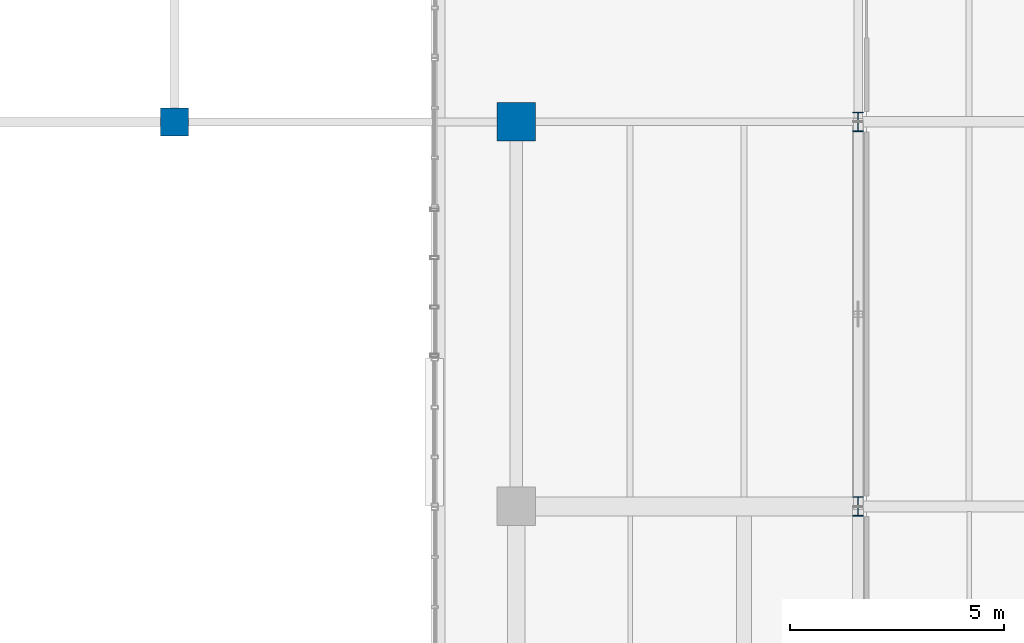
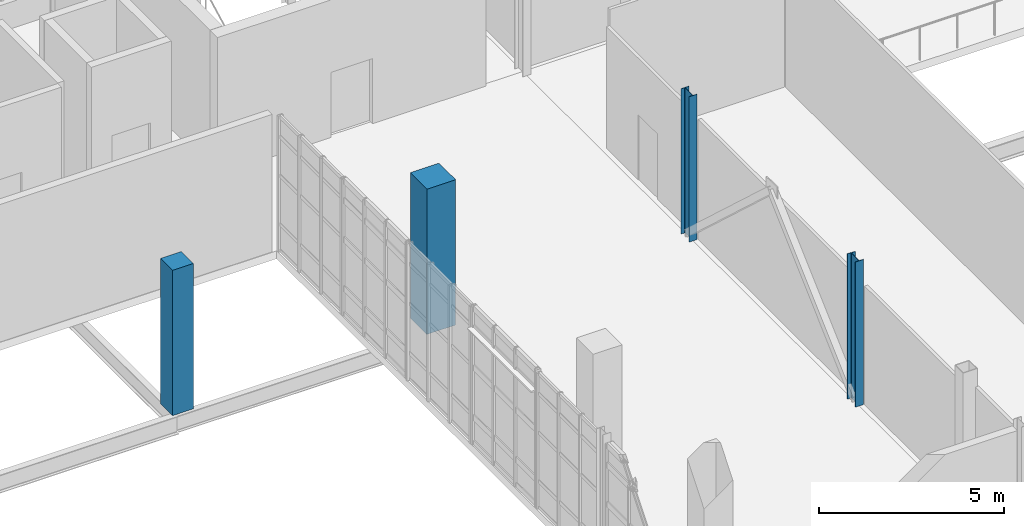
# One storey, part 6 of 100: 4 columns.
"""IFC4 building model written with IfcOpenShell, lengths in metres."""

from ifc_helpers import new_model, si_unit, derived_unit, direction, frame, origin, origin_2d, place, context, subcontext, project, spatial, rectangle, i_section, extrude, material, material_profile, profile_set, type_object, element, save


model = new_model("IFC4")

# Units and contexts
model_context = context("Model", 3, precision=1e-05, world=origin(), true_north=direction((0.0, 1.0)))
body_context = subcontext(model_context, "Body", "Model", "MODEL_VIEW")
ifc_project = project(units=[si_unit("LENGTHUNIT", "METRE"), si_unit("AREAUNIT", "SQUARE_METRE"), si_unit("VOLUMEUNIT", "CUBIC_METRE"), si_unit("PLANEANGLEUNIT", "RADIAN"), si_unit("MASSUNIT", "GRAM", prefix="KILO"), derived_unit("THERMALTRANSMITTANCEUNIT", [(si_unit("POWERUNIT", "WATT"), 1), (si_unit("LENGTHUNIT", "METRE"), -2), (si_unit("THERMODYNAMICTEMPERATUREUNIT", "KELVIN"), -1)])], contexts=[model_context])

# Site, building, storey
site_placement = place(None, origin())
site = spatial("IfcSite", under=ifc_project, at=site_placement, CompositionType="ELEMENT")
building_placement = place(site_placement, origin())
building = spatial("IfcBuilding", under=site, at=building_placement, Name="Nallur Shell Playhouse", CompositionType="ELEMENT")
storey_placement = place(building_placement, frame((0.0, 0.0, 10.199951171875)))
storey = spatial("IfcBuildingStorey", under=building, at=storey_placement, Name="L03", CompositionType="ELEMENT", Elevation=10.199951171875)

# Columns
ifc_material_1 = material(Name="Concrete M35", Category="concrete")
ifc_material_profile_1 = material_profile(ifc_material_1, rectangle(XDim=0.64990234375, YDim=0.64990234375, at=origin_2d()), Name="RC 650x650")
ifc_profile_set_1 = profile_set([ifc_material_profile_1], Name="Concrete M35")
column_type_1 = type_object("IfcColumnType", Name="CL-RC-650", PredefinedType="COLUMN", material=ifc_profile_set_1)
column_1_placement = place(storey_placement, frame((48.0, 65.0, 0.0), z_axis=(0.0, 0.0, 1.0), x_axis=(1.0, 0.0, 0.0)))
element("IfcColumn", 1, at=column_1_placement, inside=storey, type_object=column_type_1, Name="Column 6-H (L03)", PredefinedType="COLUMN", context=body_context, shape_type="SweptSolid", body=[
    extrude(rectangle(XDim=0.64990234375, YDim=0.64990234375, at=origin_2d()), origin(), (0.0, 0.0, 1.0), 4.800048828125),
])
ifc_material_2 = material(Name="Concrete M40", Category="concrete")
ifc_material_profile_2 = material_profile(ifc_material_2, rectangle(XDim=0.89990234375, YDim=0.89990234375, at=origin_2d()), Name="RC 900x900")
ifc_profile_set_2 = profile_set([ifc_material_profile_2], Name="Concrete M40")
column_type_2 = type_object("IfcColumnType", Name="CL-RC-900", PredefinedType="COLUMN", material=ifc_profile_set_2)
column_2_placement = place(storey_placement, frame((56.0, 65.0, 0.0), z_axis=(0.0, 0.0, 1.0), x_axis=(1.0, 0.0, 0.0)))
element("IfcColumn", 2, at=column_2_placement, inside=storey, type_object=column_type_2, Name="Column 7-H (L03)", PredefinedType="COLUMN", context=body_context, shape_type="SweptSolid", body=[
    extrude(rectangle(XDim=0.89990234375, YDim=0.89990234375, at=origin_2d()), origin(), (0.0, 0.0, 1.0), 4.800048828125),
])
ifc_material_3 = material(Name="Steel E350", Category="steel")
ifc_material_profile_3 = material_profile(ifc_material_3, i_section(OverallWidth=0.25, OverallDepth=0.449951171875, WebThickness=0.01123046875, FlangeThickness=0.013671875, FilletRadius=0.014892578125, at=origin_2d()), Name="ISHB 450")
ifc_profile_set_3 = profile_set([ifc_material_profile_3], Name="Steel E350")
column_type_3 = type_object("IfcColumnType", Name="CL-ST-ISHB450", PredefinedType="COLUMN", material=ifc_profile_set_3)
for number, where, z_axis, x_axis, name in (
    (3, (64.0, 56.0, 0.0), (0.0, 0.0, 1.0), (1.0, 0.0, 0.0), "Column 8-G (L03)"),
    (4, (64.0, 65.0, 0.0), (0.0, 0.0, 1.0), (1.0, 0.0, 0.0), "Column 8-H (L03)"),
):
    element("IfcColumn", number, at=place(storey_placement, frame(where, z_axis=z_axis, x_axis=x_axis)), inside=storey, type_object=column_type_3, Name=name, PredefinedType="COLUMN", context=body_context, shape_type="SweptSolid", body=[
        extrude(i_section(OverallWidth=0.25, OverallDepth=0.449951171875, WebThickness=0.01123046875, FlangeThickness=0.013671875, FilletRadius=0.014892578125, at=origin_2d()), origin(), (0.0, 0.0, 1.0), 4.800048828125),
    ])

save(model, "model.ifc")
